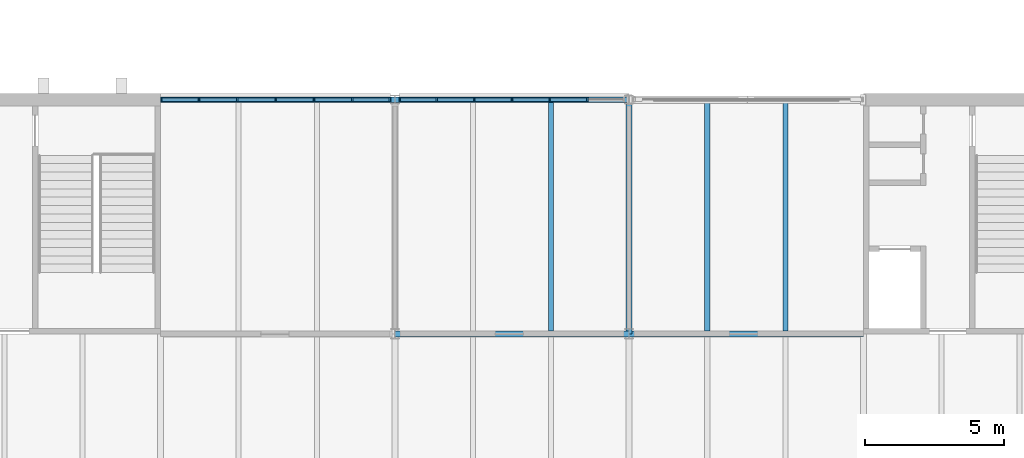
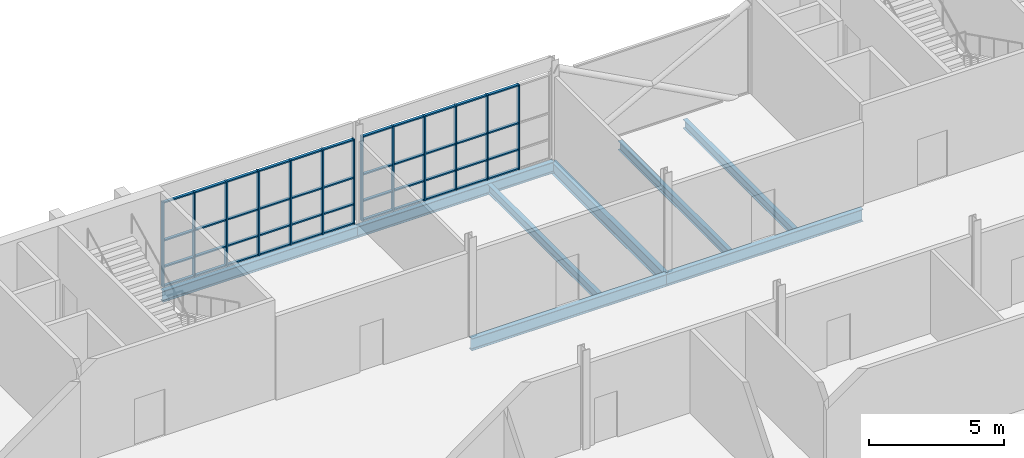
# One storey, part 51 of 129: 57 members, 8 beams, 2 elements without a shape of their own.
"""IFC4 building model written with IfcOpenShell, lengths in metres."""

from ifc_helpers import new_model, si_unit, direction, frame, origin, origin_2d, place, context, subcontext, project, spatial, rectangle, i_section, extrude, material, layer, layer_set, material_profile, profile_set, type_object, element, aggregate, save


model = new_model("IFC4")

# Units and contexts
model_context = context("Model", 3, precision=1e-05, world=origin(), true_north=direction((0.0, 1.0)))
body_context = subcontext(model_context, "Body", "Model", "MODEL_VIEW")
ifc_project = project(units=[si_unit("LENGTHUNIT", "METRE"), si_unit("AREAUNIT", "SQUARE_METRE"), si_unit("VOLUMEUNIT", "CUBIC_METRE"), si_unit("PLANEANGLEUNIT", "RADIAN"), si_unit("MASSUNIT", "GRAM", prefix="KILO")], contexts=[model_context])

# Site, building, storey
site_placement = place(None, origin())
site = spatial("IfcSite", under=ifc_project, at=site_placement, CompositionType="ELEMENT")
building_placement = place(site_placement, origin())
building = spatial("IfcBuilding", under=site, at=building_placement, Name="Ardhachandra Cancer Care Centre", CompositionType="ELEMENT")
storey_placement = place(building_placement, frame((0.0, 0.0, 4.5)))
storey = spatial("IfcBuildingStorey", under=building, at=storey_placement, Name="L01", CompositionType="ELEMENT", Elevation=4.5)

# Beams
ifc_material_1 = material(Name="Steel E350 (IS 2062)", Category="steel")
ifc_material_profile_1 = material_profile(ifc_material_1, i_section(OverallWidth=0.179931640625, OverallDepth=0.39990234375, WebThickness=0.008544921875, FlangeThickness=0.013427734375, FilletRadius=0.02099609375, at=origin_2d()), Name="NPB 400x180x66.30")
ifc_profile_set_1 = profile_set([ifc_material_profile_1], Name="Steel E350 (IS 2062)")
beam_type_1 = type_object("IfcBeamType", Name="Beam NPB 400x180x66.30", PredefinedType="BEAM", material=ifc_profile_set_1)
for number, where, z_axis, x_axis, name in (
    (1, (92.0, 88.304931640625, -0.35009765625), (0.0, 1.0, 0.0), (-1.0, 0.0, 0.0), "Secondary K10-L10@5600"),
    (2, (97.60009765625, 88.304931640625, -0.35009765625), (0.0, 1.0, 0.0), (-1.0, 0.0, 0.0), "Secondary K11-L11@2800"),
    (3, (100.39990234375, 88.304931640625, -0.35009765625), (0.0, 1.0, 0.0), (-1.0, 0.0, 0.0), "Secondary K11-L11@5600"),
):
    element("IfcBeam", number, at=place(storey_placement, frame(where, z_axis=z_axis, x_axis=x_axis)), inside=storey, type_object=beam_type_1, Name=name, PredefinedType="BEAM", context=body_context, shape_type="SweptSolid", body=[
        extrude(i_section(OverallWidth=0.179931640625, OverallDepth=0.39990234375, WebThickness=0.008544921875, FlangeThickness=0.013427734375, FilletRadius=0.02099609375, at=origin_2d()), origin(), (0.0, 0.0, 1.0), 8.195068359375),
    ])
ifc_material_2 = material(Name="Steel E350 (IS 2062)", Category="steel")
ifc_material_profile_2 = material_profile(ifc_material_2, i_section(OverallWidth=0.199951171875, OverallDepth=0.5, WebThickness=0.01025390625, FlangeThickness=0.01611328125, FilletRadius=0.02099609375, at=origin_2d()), Name="NPB 500x200x90.68")
ifc_profile_set_2 = profile_set([ifc_material_profile_2], Name="Steel E350 (IS 2062)")
beam_type_2 = type_object("IfcBeamType", Name="Beam NPB 500x200x90.68", PredefinedType="BEAM", material=ifc_profile_set_2)
beam_1_placement = place(storey_placement, frame((78.0, 96.60009765625, -0.39990234375), z_axis=(1.0, 0.0, 0.0), x_axis=(0.0, 1.0, 0.0)))
element("IfcBeam", 4, at=beam_1_placement, inside=storey, type_object=beam_type_2, Name="Edge girder L9-L10", PredefinedType="BEAM", context=body_context, shape_type="SweptSolid", body=[
    extrude(i_section(OverallWidth=0.199951171875, OverallDepth=0.5, WebThickness=0.01025390625, FlangeThickness=0.01611328125, FilletRadius=0.02099609375, at=origin_2d()), origin(), (0.0, 0.0, 1.0), 8.39990234375),
])
beam_2_placement = place(storey_placement, frame((86.39990234375, 96.60009765625, -0.39990234375), z_axis=(1.0, 0.0, 0.0), x_axis=(0.0, 1.0, 0.0)))
element("IfcBeam", 5, at=beam_2_placement, inside=storey, type_object=beam_type_2, Name="Edge girder L10-L11", PredefinedType="BEAM", context=body_context, shape_type="SweptSolid", body=[
    extrude(i_section(OverallWidth=0.199951171875, OverallDepth=0.5, WebThickness=0.01025390625, FlangeThickness=0.01611328125, FilletRadius=0.02099609375, at=origin_2d()), origin(), (0.0, 0.0, 1.0), 8.400146484375),
])
ifc_material_3 = material(Name="Steel E350 (IS 2062)", Category="steel")
ifc_material_profile_3 = material_profile(ifc_material_3, i_section(OverallWidth=0.2099609375, OverallDepth=0.550048828125, WebThickness=0.010986328125, FlangeThickness=0.01708984375, FilletRadius=0.02392578125, at=origin_2d()), Name="NPB 550x210x105.52")
ifc_profile_set_3 = profile_set([ifc_material_profile_3], Name="Steel E350 (IS 2062)")
beam_type_3 = type_object("IfcBeamType", Name="Beam NPB 550x210x105.52", PredefinedType="BEAM", material=ifc_profile_set_3)
beam_3_placement = place(storey_placement, frame((86.39990234375, 88.199951171875, -0.425048828125), z_axis=(1.0, 0.0, 0.0), x_axis=(0.0, 1.0, 0.0)))
element("IfcBeam", 6, at=beam_3_placement, inside=storey, type_object=beam_type_3, Name="Girder K10-K11", PredefinedType="BEAM", context=body_context, shape_type="SweptSolid", body=[
    extrude(i_section(OverallWidth=0.2099609375, OverallDepth=0.550048828125, WebThickness=0.010986328125, FlangeThickness=0.01708984375, FilletRadius=0.02392578125, at=origin_2d()), origin(), (0.0, 0.0, 1.0), 8.400146484375),
])
beam_4_placement = place(storey_placement, frame((94.800048828125, 88.199951171875, -0.425048828125), z_axis=(1.0, 0.0, 0.0), x_axis=(0.0, 1.0, 0.0)))
element("IfcBeam", 7, at=beam_4_placement, inside=storey, type_object=beam_type_3, Name="Girder K11-K12", PredefinedType="BEAM", context=body_context, shape_type="SweptSolid", body=[
    extrude(i_section(OverallWidth=0.2099609375, OverallDepth=0.550048828125, WebThickness=0.010986328125, FlangeThickness=0.01708984375, FilletRadius=0.02392578125, at=origin_2d()), origin(), (0.0, 0.0, 1.0), 8.39990234375),
])
beam_5_placement = place(storey_placement, frame((94.800048828125, 88.199951171875, -0.425048828125), z_axis=(0.0, 1.0, 0.0), x_axis=(-1.0, 0.0, 0.0)))
element("IfcBeam", 8, at=beam_5_placement, inside=storey, type_object=beam_type_3, Name="Girder K11-L11", PredefinedType="BEAM", context=body_context, shape_type="SweptSolid", body=[
    extrude(i_section(OverallWidth=0.2099609375, OverallDepth=0.550048828125, WebThickness=0.010986328125, FlangeThickness=0.01708984375, FilletRadius=0.02392578125, at=origin_2d()), origin(), (0.0, 0.0, 1.0), 8.400146484375),
])

# Curtain wall, members
ifc_material_4 = material(Name="Aluminium extrusion", Category="aluminium")
ifc_layer = layer(ifc_material_4, 0.14990234375)
ifc_layer_set = layer_set([ifc_layer], Name="Aluminium extrusion")
curtain_wall_type = type_object("IfcCurtainWallType", Name="Curtain wall run", PredefinedType="NOTDEFINED", material=ifc_layer_set)
curtain_wall_1_placement = place(storey_placement, origin())
curtain_wall_1 = element("IfcCurtainWall", 9, at=curtain_wall_1_placement, inside=storey, type_object=curtain_wall_type, Name="Curtain wall L01 n/0078000_0096600", PredefinedType="NOTDEFINED")
ifc_material_5 = material(Name="Aluminium extrusion", Category="aluminium")
ifc_material_profile_4 = material_profile(ifc_material_5, rectangle(XDim=0.159912109375, YDim=0.06005859375, at=origin_2d()), Name="Curtain wall mullion 60 x 160")
ifc_profile_set_4 = profile_set([ifc_material_profile_4], Name="Aluminium extrusion")
member_type_1 = type_object("IfcMemberType", Name="Curtain wall mullion 60 x 160", PredefinedType="MULLION", material=ifc_profile_set_4)
member_1_placement = place(storey_placement, frame((78.030029296875, 96.60009765625, 0.0), z_axis=(0.0, 0.0, 1.0), x_axis=(0.0, 1.0, 0.0)))
member_1 = element("IfcMember", 10, at=member_1_placement, type_object=member_type_1, Name="CW mullion 1", PredefinedType="MULLION", context=body_context, shape_type="SweptSolid", body=[
    extrude(rectangle(XDim=0.159912109375, YDim=0.06005859375, at=origin_2d()), origin(), (0.0, 0.0, 1.0), 3.85009765625),
])
member_2_placement = place(storey_placement, frame((79.375, 96.60009765625, 0.0), z_axis=(0.0, 0.0, 1.0), x_axis=(0.0, 1.0, 0.0)))
member_2 = element("IfcMember", 11, at=member_2_placement, type_object=member_type_1, Name="CW mullion 2", PredefinedType="MULLION", context=body_context, shape_type="SweptSolid", body=[
    extrude(rectangle(XDim=0.159912109375, YDim=0.06005859375, at=origin_2d()), origin(), (0.0, 0.0, 1.0), 3.85009765625),
])
member_3_placement = place(storey_placement, frame((80.75, 96.60009765625, 0.0), z_axis=(0.0, 0.0, 1.0), x_axis=(0.0, 1.0, 0.0)))
member_3 = element("IfcMember", 12, at=member_3_placement, type_object=member_type_1, Name="CW mullion 3", PredefinedType="MULLION", context=body_context, shape_type="SweptSolid", body=[
    extrude(rectangle(XDim=0.159912109375, YDim=0.06005859375, at=origin_2d()), origin(), (0.0, 0.0, 1.0), 3.85009765625),
])
member_4_placement = place(storey_placement, frame((82.125, 96.60009765625, 0.0), z_axis=(0.0, 0.0, 1.0), x_axis=(0.0, 1.0, 0.0)))
member_4 = element("IfcMember", 13, at=member_4_placement, type_object=member_type_1, Name="CW mullion 4", PredefinedType="MULLION", context=body_context, shape_type="SweptSolid", body=[
    extrude(rectangle(XDim=0.159912109375, YDim=0.06005859375, at=origin_2d()), origin(), (0.0, 0.0, 1.0), 3.85009765625),
])
member_5_placement = place(storey_placement, frame((83.5, 96.60009765625, 0.0), z_axis=(0.0, 0.0, 1.0), x_axis=(0.0, 1.0, 0.0)))
member_5 = element("IfcMember", 14, at=member_5_placement, type_object=member_type_1, Name="CW mullion 5", PredefinedType="MULLION", context=body_context, shape_type="SweptSolid", body=[
    extrude(rectangle(XDim=0.159912109375, YDim=0.06005859375, at=origin_2d()), origin(), (0.0, 0.0, 1.0), 3.85009765625),
])
member_6_placement = place(storey_placement, frame((84.875, 96.60009765625, 0.0), z_axis=(0.0, 0.0, 1.0), x_axis=(0.0, 1.0, 0.0)))
member_6 = element("IfcMember", 15, at=member_6_placement, type_object=member_type_1, Name="CW mullion 6", PredefinedType="MULLION", context=body_context, shape_type="SweptSolid", body=[
    extrude(rectangle(XDim=0.159912109375, YDim=0.06005859375, at=origin_2d()), origin(), (0.0, 0.0, 1.0), 3.85009765625),
])
member_7_placement = place(storey_placement, frame((86.219970703125, 96.60009765625, 0.0), z_axis=(0.0, 0.0, 1.0), x_axis=(0.0, 1.0, 0.0)))
member_7 = element("IfcMember", 16, at=member_7_placement, type_object=member_type_1, Name="CW mullion 7", PredefinedType="MULLION", context=body_context, shape_type="SweptSolid", body=[
    extrude(rectangle(XDim=0.159912109375, YDim=0.06005859375, at=origin_2d()), origin(), (0.0, 0.0, 1.0), 3.85009765625),
])

curtain_wall_2_placement = place(storey_placement, origin())
curtain_wall_2 = element("IfcCurtainWall", 17, at=curtain_wall_2_placement, inside=storey, type_object=curtain_wall_type, Name="Curtain wall L01 n/0086400_0096600", PredefinedType="NOTDEFINED")
member_8_placement = place(storey_placement, frame((86.580078125, 96.60009765625, 0.0), z_axis=(0.0, 0.0, 1.0), x_axis=(0.0, 1.0, 0.0)))
member_8 = element("IfcMember", 18, at=member_8_placement, type_object=member_type_1, Name="CW mullion 1", PredefinedType="MULLION", context=body_context, shape_type="SweptSolid", body=[
    extrude(rectangle(XDim=0.159912109375, YDim=0.06005859375, at=origin_2d()), origin(), (0.0, 0.0, 1.0), 3.85009765625),
])
member_9_placement = place(storey_placement, frame((87.89990234375, 96.60009765625, 0.0), z_axis=(0.0, 0.0, 1.0), x_axis=(0.0, 1.0, 0.0)))
member_9 = element("IfcMember", 19, at=member_9_placement, type_object=member_type_1, Name="CW mullion 2", PredefinedType="MULLION", context=body_context, shape_type="SweptSolid", body=[
    extrude(rectangle(XDim=0.159912109375, YDim=0.06005859375, at=origin_2d()), origin(), (0.0, 0.0, 1.0), 3.85009765625),
])
member_10_placement = place(storey_placement, frame((89.25, 96.60009765625, 0.0), z_axis=(0.0, 0.0, 1.0), x_axis=(0.0, 1.0, 0.0)))
member_10 = element("IfcMember", 20, at=member_10_placement, type_object=member_type_1, Name="CW mullion 3", PredefinedType="MULLION", context=body_context, shape_type="SweptSolid", body=[
    extrude(rectangle(XDim=0.159912109375, YDim=0.06005859375, at=origin_2d()), origin(), (0.0, 0.0, 1.0), 3.85009765625),
])
member_11_placement = place(storey_placement, frame((90.60009765625, 96.60009765625, 0.0), z_axis=(0.0, 0.0, 1.0), x_axis=(0.0, 1.0, 0.0)))
member_11 = element("IfcMember", 21, at=member_11_placement, type_object=member_type_1, Name="CW mullion 4", PredefinedType="MULLION", context=body_context, shape_type="SweptSolid", body=[
    extrude(rectangle(XDim=0.159912109375, YDim=0.06005859375, at=origin_2d()), origin(), (0.0, 0.0, 1.0), 3.85009765625),
])
member_12_placement = place(storey_placement, frame((91.949951171875, 96.60009765625, 0.0), z_axis=(0.0, 0.0, 1.0), x_axis=(0.0, 1.0, 0.0)))
member_12 = element("IfcMember", 22, at=member_12_placement, type_object=member_type_1, Name="CW mullion 5", PredefinedType="MULLION", context=body_context, shape_type="SweptSolid", body=[
    extrude(rectangle(XDim=0.159912109375, YDim=0.06005859375, at=origin_2d()), origin(), (0.0, 0.0, 1.0), 3.85009765625),
])
member_13_placement = place(storey_placement, frame((93.300048828125, 96.60009765625, 0.0), z_axis=(0.0, 0.0, 1.0), x_axis=(0.0, 1.0, 0.0)))
member_13 = element("IfcMember", 23, at=member_13_placement, type_object=member_type_1, Name="CW mullion 6", PredefinedType="MULLION", context=body_context, shape_type="SweptSolid", body=[
    extrude(rectangle(XDim=0.159912109375, YDim=0.06005859375, at=origin_2d()), origin(), (0.0, 0.0, 1.0), 3.85009765625),
])

# Member
ifc_material_6 = material(Name="Aluminium extrusion", Category="aluminium")
ifc_material_profile_5 = material_profile(ifc_material_6, rectangle(XDim=0.1201171875, YDim=0.06005859375, at=origin_2d()), Name="Curtain wall transom 60 x 120")
ifc_profile_set_5 = profile_set([ifc_material_profile_5], Name="Aluminium extrusion")
member_type_2 = type_object("IfcMemberType", Name="Curtain wall transom 60 x 120", PredefinedType="USERDEFINED", material=ifc_profile_set_5)
member_14_placement = place(storey_placement, frame((78.06005859375, 96.60009765625, 0.030029296875), z_axis=(1.0, 0.0, 0.0), x_axis=(0.0, 1.0, 0.0)))
member_14 = element("IfcMember", 24, at=member_14_placement, type_object=member_type_2, Name="CW transom 1.1", ObjectType="TRANSOM", PredefinedType="USERDEFINED", context=body_context, shape_type="SweptSolid", body=[
    extrude(rectangle(XDim=0.1201171875, YDim=0.06005859375, at=origin_2d()), origin(), (0.0, 0.0, 1.0), 1.284912109375),
])

member_15_placement = place(storey_placement, frame((78.06005859375, 96.60009765625, 0.89990234375), z_axis=(1.0, 0.0, 0.0), x_axis=(0.0, 1.0, 0.0)))
member_15 = element("IfcMember", 25, at=member_15_placement, type_object=member_type_2, Name="CW transom 1.2", ObjectType="TRANSOM", PredefinedType="USERDEFINED", context=body_context, shape_type="SweptSolid", body=[
    extrude(rectangle(XDim=0.1201171875, YDim=0.06005859375, at=origin_2d()), origin(), (0.0, 0.0, 1.0), 1.284912109375),
])

member_16_placement = place(storey_placement, frame((78.06005859375, 96.60009765625, 2.10009765625), z_axis=(1.0, 0.0, 0.0), x_axis=(0.0, 1.0, 0.0)))
member_16 = element("IfcMember", 26, at=member_16_placement, type_object=member_type_2, Name="CW transom 1.3", ObjectType="TRANSOM", PredefinedType="USERDEFINED", context=body_context, shape_type="SweptSolid", body=[
    extrude(rectangle(XDim=0.1201171875, YDim=0.06005859375, at=origin_2d()), origin(), (0.0, 0.0, 1.0), 1.284912109375),
])

member_17_placement = place(storey_placement, frame((78.06005859375, 96.60009765625, 3.820068359375), z_axis=(1.0, 0.0, 0.0), x_axis=(0.0, 1.0, 0.0)))
member_17 = element("IfcMember", 27, at=member_17_placement, type_object=member_type_2, Name="CW transom 1.4", ObjectType="TRANSOM", PredefinedType="USERDEFINED", context=body_context, shape_type="SweptSolid", body=[
    extrude(rectangle(XDim=0.1201171875, YDim=0.06005859375, at=origin_2d()), origin(), (0.0, 0.0, 1.0), 1.284912109375),
])

member_18_placement = place(storey_placement, frame((79.405029296875, 96.60009765625, 0.030029296875), z_axis=(1.0, 0.0, 0.0), x_axis=(0.0, 1.0, 0.0)))
member_18 = element("IfcMember", 28, at=member_18_placement, type_object=member_type_2, Name="CW transom 2.1", ObjectType="TRANSOM", PredefinedType="USERDEFINED", context=body_context, shape_type="SweptSolid", body=[
    extrude(rectangle(XDim=0.1201171875, YDim=0.06005859375, at=origin_2d()), origin(), (0.0, 0.0, 1.0), 1.31494140625),
])

member_19_placement = place(storey_placement, frame((79.405029296875, 96.60009765625, 0.89990234375), z_axis=(1.0, 0.0, 0.0), x_axis=(0.0, 1.0, 0.0)))
member_19 = element("IfcMember", 29, at=member_19_placement, type_object=member_type_2, Name="CW transom 2.2", ObjectType="TRANSOM", PredefinedType="USERDEFINED", context=body_context, shape_type="SweptSolid", body=[
    extrude(rectangle(XDim=0.1201171875, YDim=0.06005859375, at=origin_2d()), origin(), (0.0, 0.0, 1.0), 1.31494140625),
])

member_20_placement = place(storey_placement, frame((79.405029296875, 96.60009765625, 2.10009765625), z_axis=(1.0, 0.0, 0.0), x_axis=(0.0, 1.0, 0.0)))
member_20 = element("IfcMember", 30, at=member_20_placement, type_object=member_type_2, Name="CW transom 2.3", ObjectType="TRANSOM", PredefinedType="USERDEFINED", context=body_context, shape_type="SweptSolid", body=[
    extrude(rectangle(XDim=0.1201171875, YDim=0.06005859375, at=origin_2d()), origin(), (0.0, 0.0, 1.0), 1.31494140625),
])

member_21_placement = place(storey_placement, frame((79.405029296875, 96.60009765625, 3.820068359375), z_axis=(1.0, 0.0, 0.0), x_axis=(0.0, 1.0, 0.0)))
member_21 = element("IfcMember", 31, at=member_21_placement, type_object=member_type_2, Name="CW transom 2.4", ObjectType="TRANSOM", PredefinedType="USERDEFINED", context=body_context, shape_type="SweptSolid", body=[
    extrude(rectangle(XDim=0.1201171875, YDim=0.06005859375, at=origin_2d()), origin(), (0.0, 0.0, 1.0), 1.31494140625),
])

member_22_placement = place(storey_placement, frame((80.780029296875, 96.60009765625, 0.030029296875), z_axis=(1.0, 0.0, 0.0), x_axis=(0.0, 1.0, 0.0)))
member_22 = element("IfcMember", 32, at=member_22_placement, type_object=member_type_2, Name="CW transom 3.1", ObjectType="TRANSOM", PredefinedType="USERDEFINED", context=body_context, shape_type="SweptSolid", body=[
    extrude(rectangle(XDim=0.1201171875, YDim=0.06005859375, at=origin_2d()), origin(), (0.0, 0.0, 1.0), 1.31494140625),
])

member_23_placement = place(storey_placement, frame((80.780029296875, 96.60009765625, 0.89990234375), z_axis=(1.0, 0.0, 0.0), x_axis=(0.0, 1.0, 0.0)))
member_23 = element("IfcMember", 33, at=member_23_placement, type_object=member_type_2, Name="CW transom 3.2", ObjectType="TRANSOM", PredefinedType="USERDEFINED", context=body_context, shape_type="SweptSolid", body=[
    extrude(rectangle(XDim=0.1201171875, YDim=0.06005859375, at=origin_2d()), origin(), (0.0, 0.0, 1.0), 1.31494140625),
])

member_24_placement = place(storey_placement, frame((80.780029296875, 96.60009765625, 2.10009765625), z_axis=(1.0, 0.0, 0.0), x_axis=(0.0, 1.0, 0.0)))
member_24 = element("IfcMember", 34, at=member_24_placement, type_object=member_type_2, Name="CW transom 3.3", ObjectType="TRANSOM", PredefinedType="USERDEFINED", context=body_context, shape_type="SweptSolid", body=[
    extrude(rectangle(XDim=0.1201171875, YDim=0.06005859375, at=origin_2d()), origin(), (0.0, 0.0, 1.0), 1.31494140625),
])

member_25_placement = place(storey_placement, frame((80.780029296875, 96.60009765625, 3.820068359375), z_axis=(1.0, 0.0, 0.0), x_axis=(0.0, 1.0, 0.0)))
member_25 = element("IfcMember", 35, at=member_25_placement, type_object=member_type_2, Name="CW transom 3.4", ObjectType="TRANSOM", PredefinedType="USERDEFINED", context=body_context, shape_type="SweptSolid", body=[
    extrude(rectangle(XDim=0.1201171875, YDim=0.06005859375, at=origin_2d()), origin(), (0.0, 0.0, 1.0), 1.31494140625),
])

member_26_placement = place(storey_placement, frame((82.155029296875, 96.60009765625, 0.030029296875), z_axis=(1.0, 0.0, 0.0), x_axis=(0.0, 1.0, 0.0)))
member_26 = element("IfcMember", 36, at=member_26_placement, type_object=member_type_2, Name="CW transom 4.1", ObjectType="TRANSOM", PredefinedType="USERDEFINED", context=body_context, shape_type="SweptSolid", body=[
    extrude(rectangle(XDim=0.1201171875, YDim=0.06005859375, at=origin_2d()), origin(), (0.0, 0.0, 1.0), 1.31494140625),
])

member_27_placement = place(storey_placement, frame((82.155029296875, 96.60009765625, 0.89990234375), z_axis=(1.0, 0.0, 0.0), x_axis=(0.0, 1.0, 0.0)))
member_27 = element("IfcMember", 37, at=member_27_placement, type_object=member_type_2, Name="CW transom 4.2", ObjectType="TRANSOM", PredefinedType="USERDEFINED", context=body_context, shape_type="SweptSolid", body=[
    extrude(rectangle(XDim=0.1201171875, YDim=0.06005859375, at=origin_2d()), origin(), (0.0, 0.0, 1.0), 1.31494140625),
])

member_28_placement = place(storey_placement, frame((82.155029296875, 96.60009765625, 2.10009765625), z_axis=(1.0, 0.0, 0.0), x_axis=(0.0, 1.0, 0.0)))
member_28 = element("IfcMember", 38, at=member_28_placement, type_object=member_type_2, Name="CW transom 4.3", ObjectType="TRANSOM", PredefinedType="USERDEFINED", context=body_context, shape_type="SweptSolid", body=[
    extrude(rectangle(XDim=0.1201171875, YDim=0.06005859375, at=origin_2d()), origin(), (0.0, 0.0, 1.0), 1.31494140625),
])

member_29_placement = place(storey_placement, frame((82.155029296875, 96.60009765625, 3.820068359375), z_axis=(1.0, 0.0, 0.0), x_axis=(0.0, 1.0, 0.0)))
member_29 = element("IfcMember", 39, at=member_29_placement, type_object=member_type_2, Name="CW transom 4.4", ObjectType="TRANSOM", PredefinedType="USERDEFINED", context=body_context, shape_type="SweptSolid", body=[
    extrude(rectangle(XDim=0.1201171875, YDim=0.06005859375, at=origin_2d()), origin(), (0.0, 0.0, 1.0), 1.31494140625),
])

member_30_placement = place(storey_placement, frame((83.530029296875, 96.60009765625, 0.030029296875), z_axis=(1.0, 0.0, 0.0), x_axis=(0.0, 1.0, 0.0)))
member_30 = element("IfcMember", 40, at=member_30_placement, type_object=member_type_2, Name="CW transom 5.1", ObjectType="TRANSOM", PredefinedType="USERDEFINED", context=body_context, shape_type="SweptSolid", body=[
    extrude(rectangle(XDim=0.1201171875, YDim=0.06005859375, at=origin_2d()), origin(), (0.0, 0.0, 1.0), 1.31494140625),
])

member_31_placement = place(storey_placement, frame((83.530029296875, 96.60009765625, 0.89990234375), z_axis=(1.0, 0.0, 0.0), x_axis=(0.0, 1.0, 0.0)))
member_31 = element("IfcMember", 41, at=member_31_placement, type_object=member_type_2, Name="CW transom 5.2", ObjectType="TRANSOM", PredefinedType="USERDEFINED", context=body_context, shape_type="SweptSolid", body=[
    extrude(rectangle(XDim=0.1201171875, YDim=0.06005859375, at=origin_2d()), origin(), (0.0, 0.0, 1.0), 1.31494140625),
])

member_32_placement = place(storey_placement, frame((83.530029296875, 96.60009765625, 2.10009765625), z_axis=(1.0, 0.0, 0.0), x_axis=(0.0, 1.0, 0.0)))
member_32 = element("IfcMember", 42, at=member_32_placement, type_object=member_type_2, Name="CW transom 5.3", ObjectType="TRANSOM", PredefinedType="USERDEFINED", context=body_context, shape_type="SweptSolid", body=[
    extrude(rectangle(XDim=0.1201171875, YDim=0.06005859375, at=origin_2d()), origin(), (0.0, 0.0, 1.0), 1.31494140625),
])

member_33_placement = place(storey_placement, frame((83.530029296875, 96.60009765625, 3.820068359375), z_axis=(1.0, 0.0, 0.0), x_axis=(0.0, 1.0, 0.0)))
member_33 = element("IfcMember", 43, at=member_33_placement, type_object=member_type_2, Name="CW transom 5.4", ObjectType="TRANSOM", PredefinedType="USERDEFINED", context=body_context, shape_type="SweptSolid", body=[
    extrude(rectangle(XDim=0.1201171875, YDim=0.06005859375, at=origin_2d()), origin(), (0.0, 0.0, 1.0), 1.31494140625),
])

member_34_placement = place(storey_placement, frame((84.905029296875, 96.60009765625, 0.030029296875), z_axis=(1.0, 0.0, 0.0), x_axis=(0.0, 1.0, 0.0)))
member_34 = element("IfcMember", 44, at=member_34_placement, type_object=member_type_2, Name="CW transom 6.1", ObjectType="TRANSOM", PredefinedType="USERDEFINED", context=body_context, shape_type="SweptSolid", body=[
    extrude(rectangle(XDim=0.1201171875, YDim=0.06005859375, at=origin_2d()), origin(), (0.0, 0.0, 1.0), 1.284912109375),
])

member_35_placement = place(storey_placement, frame((84.905029296875, 96.60009765625, 0.89990234375), z_axis=(1.0, 0.0, 0.0), x_axis=(0.0, 1.0, 0.0)))
member_35 = element("IfcMember", 45, at=member_35_placement, type_object=member_type_2, Name="CW transom 6.2", ObjectType="TRANSOM", PredefinedType="USERDEFINED", context=body_context, shape_type="SweptSolid", body=[
    extrude(rectangle(XDim=0.1201171875, YDim=0.06005859375, at=origin_2d()), origin(), (0.0, 0.0, 1.0), 1.284912109375),
])

member_36_placement = place(storey_placement, frame((84.905029296875, 96.60009765625, 2.10009765625), z_axis=(1.0, 0.0, 0.0), x_axis=(0.0, 1.0, 0.0)))
member_36 = element("IfcMember", 46, at=member_36_placement, type_object=member_type_2, Name="CW transom 6.3", ObjectType="TRANSOM", PredefinedType="USERDEFINED", context=body_context, shape_type="SweptSolid", body=[
    extrude(rectangle(XDim=0.1201171875, YDim=0.06005859375, at=origin_2d()), origin(), (0.0, 0.0, 1.0), 1.284912109375),
])

member_37_placement = place(storey_placement, frame((84.905029296875, 96.60009765625, 3.820068359375), z_axis=(1.0, 0.0, 0.0), x_axis=(0.0, 1.0, 0.0)))
member_37 = element("IfcMember", 47, at=member_37_placement, type_object=member_type_2, Name="CW transom 6.4", ObjectType="TRANSOM", PredefinedType="USERDEFINED", context=body_context, shape_type="SweptSolid", body=[
    extrude(rectangle(XDim=0.1201171875, YDim=0.06005859375, at=origin_2d()), origin(), (0.0, 0.0, 1.0), 1.284912109375),
])

aggregate(curtain_wall_1, [member_1, member_2, member_3, member_4, member_5, member_6, member_7, member_14, member_15, member_16, member_17, member_18, member_19, member_20, member_21, member_22, member_23, member_24, member_25, member_26, member_27, member_28, member_29, member_30, member_31, member_32, member_33, member_34, member_35, member_36, member_37])

member_38_placement = place(storey_placement, frame((86.610107421875, 96.60009765625, 0.030029296875), z_axis=(1.0, 0.0, 0.0), x_axis=(0.0, 1.0, 0.0)))
member_38 = element("IfcMember", 48, at=member_38_placement, type_object=member_type_2, Name="CW transom 1.1", ObjectType="TRANSOM", PredefinedType="USERDEFINED", context=body_context, shape_type="SweptSolid", body=[
    extrude(rectangle(XDim=0.1201171875, YDim=0.06005859375, at=origin_2d()), origin(), (0.0, 0.0, 1.0), 1.260009765625),
])

member_39_placement = place(storey_placement, frame((86.610107421875, 96.60009765625, 0.89990234375), z_axis=(1.0, 0.0, 0.0), x_axis=(0.0, 1.0, 0.0)))
member_39 = element("IfcMember", 49, at=member_39_placement, type_object=member_type_2, Name="CW transom 1.2", ObjectType="TRANSOM", PredefinedType="USERDEFINED", context=body_context, shape_type="SweptSolid", body=[
    extrude(rectangle(XDim=0.1201171875, YDim=0.06005859375, at=origin_2d()), origin(), (0.0, 0.0, 1.0), 1.260009765625),
])

member_40_placement = place(storey_placement, frame((86.610107421875, 96.60009765625, 2.10009765625), z_axis=(1.0, 0.0, 0.0), x_axis=(0.0, 1.0, 0.0)))
member_40 = element("IfcMember", 50, at=member_40_placement, type_object=member_type_2, Name="CW transom 1.3", ObjectType="TRANSOM", PredefinedType="USERDEFINED", context=body_context, shape_type="SweptSolid", body=[
    extrude(rectangle(XDim=0.1201171875, YDim=0.06005859375, at=origin_2d()), origin(), (0.0, 0.0, 1.0), 1.260009765625),
])

member_41_placement = place(storey_placement, frame((86.610107421875, 96.60009765625, 3.820068359375), z_axis=(1.0, 0.0, 0.0), x_axis=(0.0, 1.0, 0.0)))
member_41 = element("IfcMember", 51, at=member_41_placement, type_object=member_type_2, Name="CW transom 1.4", ObjectType="TRANSOM", PredefinedType="USERDEFINED", context=body_context, shape_type="SweptSolid", body=[
    extrude(rectangle(XDim=0.1201171875, YDim=0.06005859375, at=origin_2d()), origin(), (0.0, 0.0, 1.0), 1.260009765625),
])

member_42_placement = place(storey_placement, frame((87.929931640625, 96.60009765625, 0.030029296875), z_axis=(1.0, 0.0, 0.0), x_axis=(0.0, 1.0, 0.0)))
member_42 = element("IfcMember", 52, at=member_42_placement, type_object=member_type_2, Name="CW transom 2.1", ObjectType="TRANSOM", PredefinedType="USERDEFINED", context=body_context, shape_type="SweptSolid", body=[
    extrude(rectangle(XDim=0.1201171875, YDim=0.06005859375, at=origin_2d()), origin(), (0.0, 0.0, 1.0), 1.2900390625),
])

member_43_placement = place(storey_placement, frame((87.929931640625, 96.60009765625, 0.89990234375), z_axis=(1.0, 0.0, 0.0), x_axis=(0.0, 1.0, 0.0)))
member_43 = element("IfcMember", 53, at=member_43_placement, type_object=member_type_2, Name="CW transom 2.2", ObjectType="TRANSOM", PredefinedType="USERDEFINED", context=body_context, shape_type="SweptSolid", body=[
    extrude(rectangle(XDim=0.1201171875, YDim=0.06005859375, at=origin_2d()), origin(), (0.0, 0.0, 1.0), 1.2900390625),
])

member_44_placement = place(storey_placement, frame((87.929931640625, 96.60009765625, 2.10009765625), z_axis=(1.0, 0.0, 0.0), x_axis=(0.0, 1.0, 0.0)))
member_44 = element("IfcMember", 54, at=member_44_placement, type_object=member_type_2, Name="CW transom 2.3", ObjectType="TRANSOM", PredefinedType="USERDEFINED", context=body_context, shape_type="SweptSolid", body=[
    extrude(rectangle(XDim=0.1201171875, YDim=0.06005859375, at=origin_2d()), origin(), (0.0, 0.0, 1.0), 1.2900390625),
])

member_45_placement = place(storey_placement, frame((87.929931640625, 96.60009765625, 3.820068359375), z_axis=(1.0, 0.0, 0.0), x_axis=(0.0, 1.0, 0.0)))
member_45 = element("IfcMember", 55, at=member_45_placement, type_object=member_type_2, Name="CW transom 2.4", ObjectType="TRANSOM", PredefinedType="USERDEFINED", context=body_context, shape_type="SweptSolid", body=[
    extrude(rectangle(XDim=0.1201171875, YDim=0.06005859375, at=origin_2d()), origin(), (0.0, 0.0, 1.0), 1.2900390625),
])

member_46_placement = place(storey_placement, frame((89.280029296875, 96.60009765625, 0.030029296875), z_axis=(1.0, 0.0, 0.0), x_axis=(0.0, 1.0, 0.0)))
member_46 = element("IfcMember", 56, at=member_46_placement, type_object=member_type_2, Name="CW transom 3.1", ObjectType="TRANSOM", PredefinedType="USERDEFINED", context=body_context, shape_type="SweptSolid", body=[
    extrude(rectangle(XDim=0.1201171875, YDim=0.06005859375, at=origin_2d()), origin(), (0.0, 0.0, 1.0), 1.2900390625),
])

member_47_placement = place(storey_placement, frame((89.280029296875, 96.60009765625, 0.89990234375), z_axis=(1.0, 0.0, 0.0), x_axis=(0.0, 1.0, 0.0)))
member_47 = element("IfcMember", 57, at=member_47_placement, type_object=member_type_2, Name="CW transom 3.2", ObjectType="TRANSOM", PredefinedType="USERDEFINED", context=body_context, shape_type="SweptSolid", body=[
    extrude(rectangle(XDim=0.1201171875, YDim=0.06005859375, at=origin_2d()), origin(), (0.0, 0.0, 1.0), 1.2900390625),
])

member_48_placement = place(storey_placement, frame((89.280029296875, 96.60009765625, 2.10009765625), z_axis=(1.0, 0.0, 0.0), x_axis=(0.0, 1.0, 0.0)))
member_48 = element("IfcMember", 58, at=member_48_placement, type_object=member_type_2, Name="CW transom 3.3", ObjectType="TRANSOM", PredefinedType="USERDEFINED", context=body_context, shape_type="SweptSolid", body=[
    extrude(rectangle(XDim=0.1201171875, YDim=0.06005859375, at=origin_2d()), origin(), (0.0, 0.0, 1.0), 1.2900390625),
])

member_49_placement = place(storey_placement, frame((89.280029296875, 96.60009765625, 3.820068359375), z_axis=(1.0, 0.0, 0.0), x_axis=(0.0, 1.0, 0.0)))
member_49 = element("IfcMember", 59, at=member_49_placement, type_object=member_type_2, Name="CW transom 3.4", ObjectType="TRANSOM", PredefinedType="USERDEFINED", context=body_context, shape_type="SweptSolid", body=[
    extrude(rectangle(XDim=0.1201171875, YDim=0.06005859375, at=origin_2d()), origin(), (0.0, 0.0, 1.0), 1.2900390625),
])

member_50_placement = place(storey_placement, frame((90.6298828125, 96.60009765625, 0.030029296875), z_axis=(1.0, 0.0, 0.0), x_axis=(0.0, 1.0, 0.0)))
member_50 = element("IfcMember", 60, at=member_50_placement, type_object=member_type_2, Name="CW transom 4.1", ObjectType="TRANSOM", PredefinedType="USERDEFINED", context=body_context, shape_type="SweptSolid", body=[
    extrude(rectangle(XDim=0.1201171875, YDim=0.06005859375, at=origin_2d()), origin(), (0.0, 0.0, 1.0), 1.2900390625),
])

member_51_placement = place(storey_placement, frame((90.6298828125, 96.60009765625, 0.89990234375), z_axis=(1.0, 0.0, 0.0), x_axis=(0.0, 1.0, 0.0)))
member_51 = element("IfcMember", 61, at=member_51_placement, type_object=member_type_2, Name="CW transom 4.2", ObjectType="TRANSOM", PredefinedType="USERDEFINED", context=body_context, shape_type="SweptSolid", body=[
    extrude(rectangle(XDim=0.1201171875, YDim=0.06005859375, at=origin_2d()), origin(), (0.0, 0.0, 1.0), 1.2900390625),
])

member_52_placement = place(storey_placement, frame((90.6298828125, 96.60009765625, 2.10009765625), z_axis=(1.0, 0.0, 0.0), x_axis=(0.0, 1.0, 0.0)))
member_52 = element("IfcMember", 62, at=member_52_placement, type_object=member_type_2, Name="CW transom 4.3", ObjectType="TRANSOM", PredefinedType="USERDEFINED", context=body_context, shape_type="SweptSolid", body=[
    extrude(rectangle(XDim=0.1201171875, YDim=0.06005859375, at=origin_2d()), origin(), (0.0, 0.0, 1.0), 1.2900390625),
])

member_53_placement = place(storey_placement, frame((90.6298828125, 96.60009765625, 3.820068359375), z_axis=(1.0, 0.0, 0.0), x_axis=(0.0, 1.0, 0.0)))
member_53 = element("IfcMember", 63, at=member_53_placement, type_object=member_type_2, Name="CW transom 4.4", ObjectType="TRANSOM", PredefinedType="USERDEFINED", context=body_context, shape_type="SweptSolid", body=[
    extrude(rectangle(XDim=0.1201171875, YDim=0.06005859375, at=origin_2d()), origin(), (0.0, 0.0, 1.0), 1.2900390625),
])

member_54_placement = place(storey_placement, frame((91.97998046875, 96.60009765625, 0.030029296875), z_axis=(1.0, 0.0, 0.0), x_axis=(0.0, 1.0, 0.0)))
member_54 = element("IfcMember", 64, at=member_54_placement, type_object=member_type_2, Name="CW transom 5.1", ObjectType="TRANSOM", PredefinedType="USERDEFINED", context=body_context, shape_type="SweptSolid", body=[
    extrude(rectangle(XDim=0.1201171875, YDim=0.06005859375, at=origin_2d()), origin(), (0.0, 0.0, 1.0), 1.2900390625),
])

member_55_placement = place(storey_placement, frame((91.97998046875, 96.60009765625, 0.89990234375), z_axis=(1.0, 0.0, 0.0), x_axis=(0.0, 1.0, 0.0)))
member_55 = element("IfcMember", 65, at=member_55_placement, type_object=member_type_2, Name="CW transom 5.2", ObjectType="TRANSOM", PredefinedType="USERDEFINED", context=body_context, shape_type="SweptSolid", body=[
    extrude(rectangle(XDim=0.1201171875, YDim=0.06005859375, at=origin_2d()), origin(), (0.0, 0.0, 1.0), 1.2900390625),
])

member_56_placement = place(storey_placement, frame((91.97998046875, 96.60009765625, 2.10009765625), z_axis=(1.0, 0.0, 0.0), x_axis=(0.0, 1.0, 0.0)))
member_56 = element("IfcMember", 66, at=member_56_placement, type_object=member_type_2, Name="CW transom 5.3", ObjectType="TRANSOM", PredefinedType="USERDEFINED", context=body_context, shape_type="SweptSolid", body=[
    extrude(rectangle(XDim=0.1201171875, YDim=0.06005859375, at=origin_2d()), origin(), (0.0, 0.0, 1.0), 1.2900390625),
])

member_57_placement = place(storey_placement, frame((91.97998046875, 96.60009765625, 3.820068359375), z_axis=(1.0, 0.0, 0.0), x_axis=(0.0, 1.0, 0.0)))
member_57 = element("IfcMember", 67, at=member_57_placement, type_object=member_type_2, Name="CW transom 5.4", ObjectType="TRANSOM", PredefinedType="USERDEFINED", context=body_context, shape_type="SweptSolid", body=[
    extrude(rectangle(XDim=0.1201171875, YDim=0.06005859375, at=origin_2d()), origin(), (0.0, 0.0, 1.0), 1.2900390625),
])

aggregate(curtain_wall_2, [member_8, member_9, member_10, member_11, member_12, member_13, member_38, member_39, member_40, member_41, member_42, member_43, member_44, member_45, member_46, member_47, member_48, member_49, member_50, member_51, member_52, member_53, member_54, member_55, member_56, member_57])

save(model, "model.ifc")
